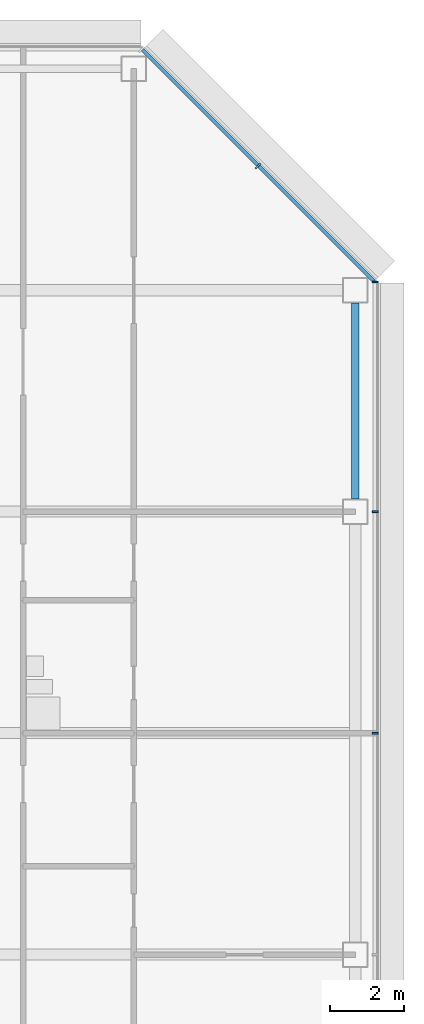
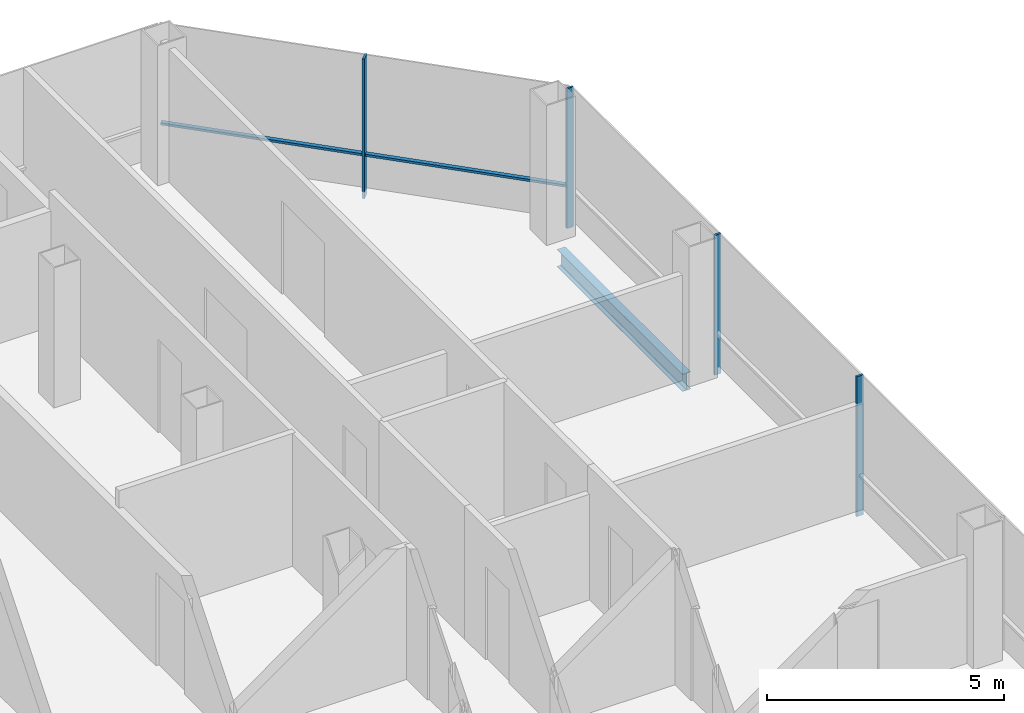
# One storey, part 17 of 26: 5 members, 1 beam, 2 elements without a shape of their own.
"""IFC4 building model written with IfcOpenShell, lengths in metres."""

from ifc_helpers import new_model, si_unit, direction, frame, origin, origin_2d, place, context, subcontext, project, spatial, rectangle, i_section, extrude, material, material_profile, profile_set, type_object, element, aggregate, save


model = new_model("IFC4")

# Units and contexts
model_context = context("Model", 3, precision=1e-05, world=origin(), true_north=direction((0.0, 1.0)))
body_context = subcontext(model_context, "Body", "Model", "MODEL_VIEW")
ifc_project = project(units=[si_unit("LENGTHUNIT", "METRE"), si_unit("AREAUNIT", "SQUARE_METRE"), si_unit("VOLUMEUNIT", "CUBIC_METRE"), si_unit("PLANEANGLEUNIT", "RADIAN"), si_unit("MASSUNIT", "GRAM", prefix="KILO")], contexts=[model_context])

# Site, building, storey
site_placement = place(None, origin())
site = spatial("IfcSite", under=ifc_project, at=site_placement, CompositionType="ELEMENT")
building_placement = place(site_placement, origin())
building = spatial("IfcBuilding", under=site, at=building_placement, Name="Sorahane Residences", CompositionType="ELEMENT")
storey_placement = place(building_placement, frame((0.0, 0.0, 154.60009765625)))
storey = spatial("IfcBuildingStorey", under=building, at=storey_placement, Name="L35", CompositionType="ELEMENT", Elevation=154.60009765625)

# Curtain wall, members
ifc_material_1 = material(Name="Dark low-e glass and black anodised aluminium", Category="aluminium")
curtain_wall_type_1 = type_object("IfcCurtainWallType", Name="Curtain wall CW-1 Typical unitised wall", PredefinedType="NOTDEFINED", material=ifc_material_1)
curtain_wall_1_placement = place(storey_placement, origin())
curtain_wall_1 = element("IfcCurtainWall", 1, at=curtain_wall_1_placement, inside=storey, type_object=curtain_wall_type_1, Name="CW-1 curtain wall L35 E1", PredefinedType="NOTDEFINED")
ifc_material_2 = material(Name="Black anodised aluminium", Category="aluminium")
ifc_material_profile_1 = material_profile(ifc_material_2, rectangle(XDim=0.159912109375, YDim=0.050048828125, at=origin_2d()), Name="Curtain wall mullion CW-1 black anodised aluminium 50x160")
ifc_profile_set_1 = profile_set([ifc_material_profile_1], Name="Black anodised aluminium")
member_type_1 = type_object("IfcMemberType", Name="Curtain wall mullion CW-1 black anodised aluminium 50x160", PredefinedType="MULLION", material=ifc_profile_set_1)
member_1_placement = place(storey_placement, frame((60.5400390625, 30.0, -0.18017578125), z_axis=(0.0, 0.0, 1.0), x_axis=(1.0, 0.0, 0.0)))
member_1 = element("IfcMember", 2, at=member_1_placement, type_object=member_type_1, Name="CW-1 mullion L35 E1.5", PredefinedType="MULLION", context=body_context, shape_type="SweptSolid", body=[
    extrude(rectangle(XDim=0.159912109375, YDim=0.050048828125, at=origin_2d()), origin(), (0.0, 0.0, 1.0), 3.60009765625),
])
member_2_placement = place(storey_placement, frame((60.5400390625, 36.0, -0.18017578125), z_axis=(0.0, 0.0, 1.0), x_axis=(1.0, 0.0, 0.0)))
member_2 = element("IfcMember", 3, at=member_2_placement, type_object=member_type_1, Name="CW-1 mullion L35 E1.6", PredefinedType="MULLION", context=body_context, shape_type="SweptSolid", body=[
    extrude(rectangle(XDim=0.159912109375, YDim=0.050048828125, at=origin_2d()), origin(), (0.0, 0.0, 1.0), 3.60009765625),
])
member_3_placement = place(storey_placement, frame((60.5400390625, 42.2236328125, -0.18017578125), z_axis=(0.0, 0.0, 1.0), x_axis=(1.0, 0.0, 0.0)))
member_3 = element("IfcMember", 4, at=member_3_placement, type_object=member_type_1, Name="CW-1 mullion L35 E1.7", PredefinedType="MULLION", context=body_context, shape_type="SweptSolid", body=[
    extrude(rectangle(XDim=0.159912109375, YDim=0.050048828125, at=origin_2d()), origin(), (0.0, 0.0, 1.0), 3.60009765625),
])
aggregate(curtain_wall_1, [member_1, member_2, member_3])

ifc_material_3 = material(Name="Dark low-e glass and black anodised aluminium", Category="aluminium")
curtain_wall_type_2 = type_object("IfcCurtainWallType", Name="Curtain wall CW-2 Chamfer unitised wall", PredefinedType="NOTDEFINED", material=ifc_material_3)
curtain_wall_2_placement = place(storey_placement, origin())
curtain_wall_2 = element("IfcCurtainWall", 5, at=curtain_wall_2_placement, inside=storey, type_object=curtain_wall_type_2, Name="CW-2 curtain wall L35 NE1", PredefinedType="NOTDEFINED")
ifc_material_4 = material(Name="Black anodised aluminium", Category="aluminium")
ifc_material_profile_2 = material_profile(ifc_material_4, rectangle(XDim=0.199951171875, YDim=0.050048828125, at=origin_2d()), Name="Curtain wall mullion CW-2 black anodised aluminium 50x200")
ifc_profile_set_2 = profile_set([ifc_material_profile_2], Name="Black anodised aluminium")
member_type_2 = type_object("IfcMemberType", Name="Curtain wall mullion CW-2 black anodised aluminium 50x200", PredefinedType="MULLION", material=ifc_profile_set_2)
member_4_placement = place(storey_placement, frame((57.36767578125, 45.36767578125, -0.18017578125), z_axis=(0.0, 0.0, 1.0), x_axis=(0.707106781187, 0.707106781187, 0.0)))
member_4 = element("IfcMember", 6, at=member_4_placement, type_object=member_type_2, Name="CW-2 mullion L35 NE1.2", PredefinedType="MULLION", context=body_context, shape_type="SweptSolid", body=[
    extrude(rectangle(XDim=0.199951171875, YDim=0.050048828125, at=origin_2d()), origin(), (0.0, 0.0, 1.0), 3.60009765625),
])
ifc_material_5 = material(Name="Black anodised aluminium", Category="aluminium")
ifc_material_profile_3 = material_profile(ifc_material_5, rectangle(XDim=0.10009765625, YDim=0.06005859375, at=origin_2d()), Name="Curtain wall transom CW-2 black anodised aluminium 60x100")
ifc_profile_set_3 = profile_set([ifc_material_profile_3], Name="Black anodised aluminium")
member_type_3 = type_object("IfcMemberType", Name="Curtain wall transom CW-2 black anodised aluminium 60x100", PredefinedType="USERDEFINED", material=ifc_profile_set_3)
member_5_placement = place(storey_placement, frame((60.51513671875, 42.234375, 0.89990234375), z_axis=(-0.707106781187, 0.707106781187, 0.0), x_axis=(-0.707106781187, -0.707106781187, 0.0)))
member_5 = element("IfcMember", 7, at=member_5_placement, type_object=member_type_3, Name="CW-2 transom L35 NE1", ObjectType="TRANSOM", PredefinedType="USERDEFINED", context=body_context, shape_type="SweptSolid", body=[
    extrude(rectangle(XDim=0.10009765625, YDim=0.06005859375, at=origin_2d()), origin(), (0.0, 0.0, 1.0), 8.88232421875),
])
aggregate(curtain_wall_2, [member_4, member_5])

# Beam
ifc_material_6 = material(Name="Steel Q355B", Category="steel")
ifc_material_profile_4 = material_profile(ifc_material_6, i_section(OverallWidth=0.199951171875, OverallDepth=0.449951171875, WebThickness=0.009033203125, FlangeThickness=0.013916015625, FilletRadius=0.02001953125, at=origin_2d()), Name="HN 450x200x9x14")
ifc_profile_set_4 = profile_set([ifc_material_profile_4], Name="Steel Q355B")
beam_type = type_object("IfcBeamType", Name="Steel floor beam HN 450x200x9x14 Q355B", PredefinedType="BEAM", material=ifc_profile_set_4)
beam_placement = place(storey_placement, frame((60.0, 36.35009765625, -0.405029296875), z_axis=(0.0, 1.0, 0.0), x_axis=(-1.0, 0.0, 0.0)))
element("IfcBeam", 8, at=beam_placement, inside=storey, type_object=beam_type, Name="Beam L35 067", PredefinedType="BEAM", context=body_context, shape_type="SweptSolid", body=[
    extrude(i_section(OverallWidth=0.199951171875, OverallDepth=0.449951171875, WebThickness=0.009033203125, FlangeThickness=0.013916015625, FilletRadius=0.02001953125, at=origin_2d()), origin(), (0.0, 0.0, 1.0), 5.2998046875),
])

save(model, "model.ifc")
